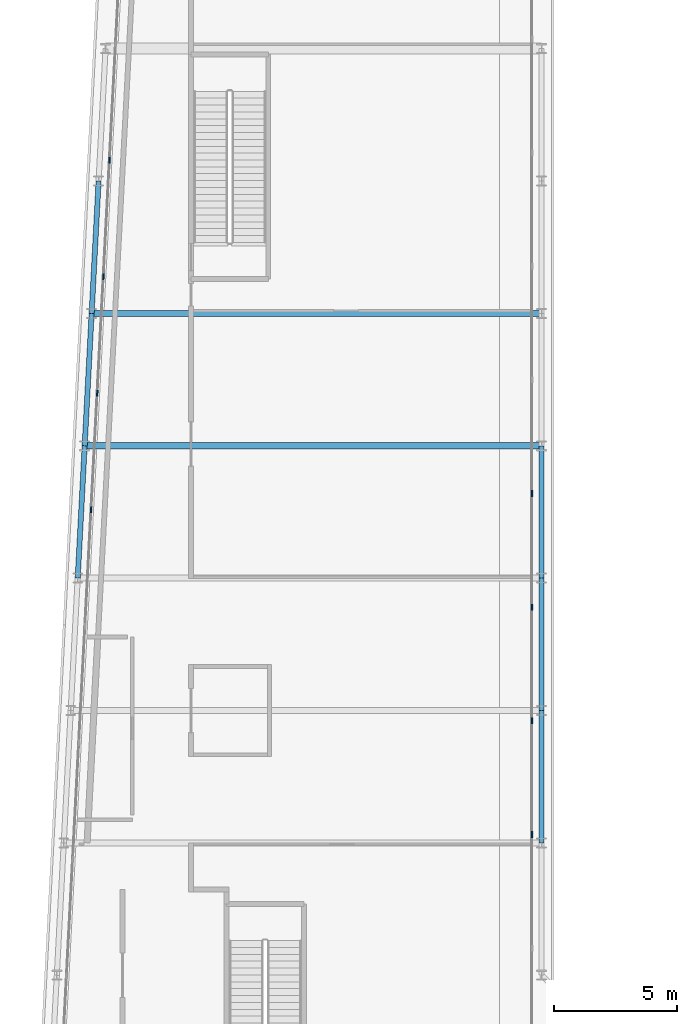
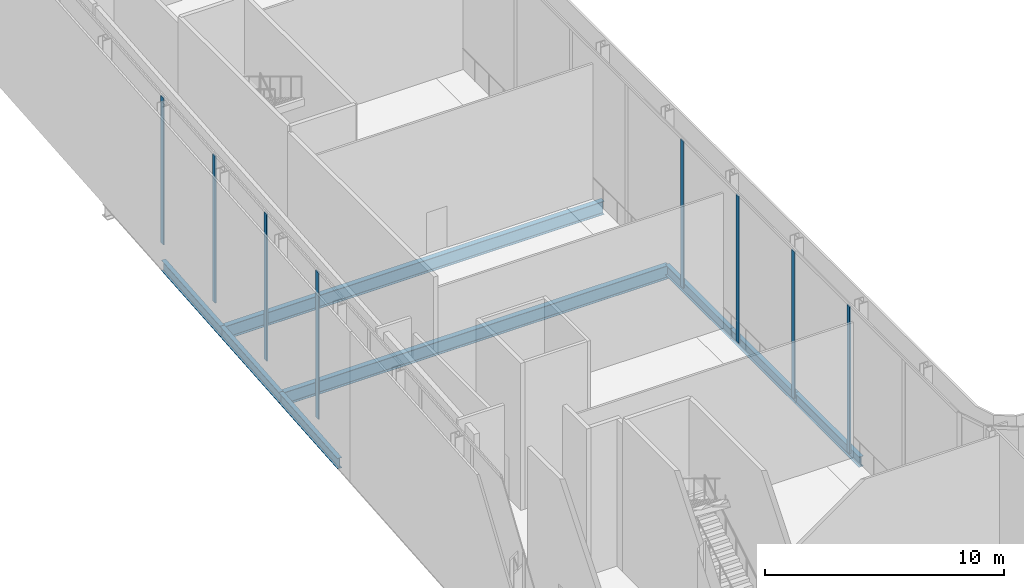
# One storey, part 14 of 38: 8 beams, 8 members, 2 elements without a shape of their own.
"""IFC4 building model written with IfcOpenShell, lengths in metres."""

from ifc_helpers import new_model, si_unit, direction, frame, origin, origin_2d, place, context, subcontext, project, spatial, rectangle, i_section, extrude, material, layer, layer_set, material_profile, profile_set, type_object, element, aggregate, save


model = new_model("IFC4")

# Units and contexts
model_context = context("Model", 3, precision=1e-05, world=origin(), true_north=direction((0.0, 1.0)))
body_context = subcontext(model_context, "Body", "Model", "MODEL_VIEW")
ifc_project = project(units=[si_unit("LENGTHUNIT", "METRE"), si_unit("AREAUNIT", "SQUARE_METRE"), si_unit("VOLUMEUNIT", "CUBIC_METRE"), si_unit("PLANEANGLEUNIT", "RADIAN"), si_unit("MASSUNIT", "GRAM", prefix="KILO")], contexts=[model_context])

# Site, building, storey
site_placement = place(None, origin())
site = spatial("IfcSite", under=ifc_project, at=site_placement, CompositionType="ELEMENT")
building_placement = place(site_placement, origin())
building = spatial("IfcBuilding", under=site, at=building_placement, Name="Kheshtan School and Residences Tower", CompositionType="ELEMENT")
storey_placement = place(building_placement, frame((0.0, 0.0, 203.300048828125)))
storey = spatial("IfcBuildingStorey", under=building, at=storey_placement, Name="L48", CompositionType="ELEMENT", Elevation=203.300048828125)

# Beams
ifc_material_1 = material(Name="Steel ASTM A992 Grade 50", Category="steel")
ifc_material_profile_1 = material_profile(ifc_material_1, i_section(OverallWidth=0.2529296875, OverallDepth=0.677978515625, WebThickness=0.01171875, FlangeThickness=0.016357421875, FilletRadius=0.0146484375, at=origin_2d()), Name="W690x125")
ifc_profile_set_1 = profile_set([ifc_material_profile_1], Name="Steel ASTM A992 Grade 50")
beam_type_1 = type_object("IfcBeamType", Name="Beam FB6 W690x125 ASTM A992 Grade 50", PredefinedType="BEAM", material=ifc_profile_set_1)
beam_1_placement = place(storey_placement, frame((47.60009765625, 78.0, -0.489013671875), z_axis=(-1.0, 0.0, 0.0), x_axis=(0.0, -1.0, 0.0)))
element("IfcBeam", 1, at=beam_1_placement, inside=storey, type_object=beam_type_1, Name="Floor beam C089", PredefinedType="BEAM", context=body_context, shape_type="SweptSolid", body=[
    extrude(i_section(OverallWidth=0.2529296875, OverallDepth=0.677978515625, WebThickness=0.01171875, FlangeThickness=0.016357421875, FilletRadius=0.0146484375, at=origin_2d()), origin(), (0.0, 0.0, 1.0), 18.357177734375),
])
beam_2_placement = place(storey_placement, frame((28.9580078125, 72.60009765625, -0.489013671875), z_axis=(1.0, 0.0, 0.0), x_axis=(0.0, 1.0, 0.0)))
element("IfcBeam", 2, at=beam_2_placement, inside=storey, type_object=beam_type_1, Name="Floor beam C086", PredefinedType="BEAM", context=body_context, shape_type="SweptSolid", body=[
    extrude(i_section(OverallWidth=0.2529296875, OverallDepth=0.677978515625, WebThickness=0.01171875, FlangeThickness=0.016357421875, FilletRadius=0.0146484375, at=origin_2d()), origin(), (0.0, 0.0, 1.0), 18.64208984375),
])
ifc_material_profile_2 = material_profile(ifc_material_1, i_section(OverallWidth=0.208984375, OverallDepth=0.532958984375, WebThickness=0.01025390625, FlangeThickness=0.015625, FilletRadius=0.013916015625, at=origin_2d()), Name="W530x92")
ifc_profile_set_2 = profile_set([ifc_material_profile_2], Name="Steel ASTM A992 Grade 50")
beam_type_2 = type_object("IfcBeamType", Name="Beam SP3 W530x92 ASTM A992 Grade 50", PredefinedType="BEAM", material=ifc_profile_set_2)
beam_3_placement = place(storey_placement, frame((47.60009765625, 72.60009765625, -0.41650390625), z_axis=(0.0, -1.0, 0.0), x_axis=(1.0, 0.0, 0.0)))
element("IfcBeam", 3, at=beam_3_placement, inside=storey, type_object=beam_type_2, Name="Spandrel beam C087-C085", PredefinedType="BEAM", context=body_context, shape_type="SweptSolid", body=[
    extrude(i_section(OverallWidth=0.208984375, OverallDepth=0.532958984375, WebThickness=0.01025390625, FlangeThickness=0.015625, FilletRadius=0.013916015625, at=origin_2d()), origin(), (0.0, 0.0, 1.0), 5.400146484375),
])
beam_4_placement = place(storey_placement, frame((47.60009765625, 67.199951171875, -0.41650390625), z_axis=(0.0, -1.0, 0.0), x_axis=(1.0, 0.0, 0.0)))
element("IfcBeam", 4, at=beam_4_placement, inside=storey, type_object=beam_type_2, Name="Spandrel beam C085-C083", PredefinedType="BEAM", context=body_context, shape_type="SweptSolid", body=[
    extrude(i_section(OverallWidth=0.208984375, OverallDepth=0.532958984375, WebThickness=0.01025390625, FlangeThickness=0.015625, FilletRadius=0.013916015625, at=origin_2d()), origin(), (0.0, 0.0, 1.0), 5.39990234375),
])
beam_5_placement = place(storey_placement, frame((47.60009765625, 61.800048828125, -0.41650390625), z_axis=(0.0, -1.0, 0.0), x_axis=(1.0, 0.0, 0.0)))
element("IfcBeam", 5, at=beam_5_placement, inside=storey, type_object=beam_type_2, Name="Spandrel beam C083-C081", PredefinedType="BEAM", context=body_context, shape_type="SweptSolid", body=[
    extrude(i_section(OverallWidth=0.208984375, OverallDepth=0.532958984375, WebThickness=0.01025390625, FlangeThickness=0.015625, FilletRadius=0.013916015625, at=origin_2d()), origin(), (0.0, 0.0, 1.0), 5.400146484375),
])
beam_6_placement = place(storey_placement, frame((28.674072265625, 67.199951171875, -0.41650390625), z_axis=(0.05250670125, 0.998620571751, 0.0), x_axis=(-0.998620571751, 0.05250670125, 0.0)))
element("IfcBeam", 6, at=beam_6_placement, inside=storey, type_object=beam_type_2, Name="Spandrel beam C084-C086", PredefinedType="BEAM", context=body_context, shape_type="SweptSolid", body=[
    extrude(i_section(OverallWidth=0.208984375, OverallDepth=0.532958984375, WebThickness=0.01025390625, FlangeThickness=0.015625, FilletRadius=0.013916015625, at=origin_2d()), origin(), (0.0, 0.0, 1.0), 5.40771484375),
])
for number, where, z_axis, x_axis, name in (
    (7, (28.9580078125, 72.60009765625, -0.41650390625), (0.052689166816, 0.998610961136, 0.0), (-0.998610961136, 0.052689166816, 0.0), "Spandrel beam C086-C088"),
    (8, (29.242919921875, 78.0, -0.41650390625), (0.052554093665, 0.998618078766, 0.0), (-0.998618078766, 0.052554093665, 0.0), "Spandrel beam C088-C090"),
):
    element("IfcBeam", number, at=place(storey_placement, frame(where, z_axis=z_axis, x_axis=x_axis)), inside=storey, type_object=beam_type_2, Name=name, PredefinedType="BEAM", context=body_context, shape_type="SweptSolid", body=[
        extrude(i_section(OverallWidth=0.208984375, OverallDepth=0.532958984375, WebThickness=0.01025390625, FlangeThickness=0.015625, FilletRadius=0.013916015625, at=origin_2d()), origin(), (0.0, 0.0, 1.0), 5.407470703125),
    ])

# Curtain wall, members
ifc_material_2 = material(Name="Clear low-e glass in thermally broken aluminium frame", Category="aluminium")
ifc_layer = layer(ifc_material_2, 0.25)
ifc_layer_set = layer_set([ifc_layer], Name="Curtain wall CW-K")
curtain_wall_type = type_object("IfcCurtainWallType", Name="Curtain wall CW-K", PredefinedType="NOTDEFINED", material=ifc_layer_set)
curtain_wall_1_placement = place(storey_placement, origin())
curtain_wall_1 = element("IfcCurtainWall", 9, at=curtain_wall_1_placement, inside=storey, type_object=curtain_wall_type, Name="Curtain wall CWK18", PredefinedType="NOTDEFINED")
ifc_material_3 = material(Name="Thermally broken aluminium, dark bronze anodised", Category="aluminium")
ifc_material_profile_3 = material_profile(ifc_material_3, rectangle(XDim=0.06005859375, YDim=0.25, at=origin_2d()), Name="CW-K mullion 60x250")
ifc_profile_set_3 = profile_set([ifc_material_profile_3], Name="Thermally broken aluminium, dark bronze anodised")
member_type = type_object("IfcMemberType", Name="CW-K mullion 60x250", PredefinedType="MULLION", material=ifc_profile_set_3)
member_1_placement = place(storey_placement, frame((29.22119140625, 69.993408203125, 0.0), z_axis=(0.0, 0.0, 1.0), x_axis=(-0.998617497599, 0.05256513568, 0.0)))
member_1 = element("IfcMember", 10, at=member_1_placement, type_object=member_type, Name="CWK18 mullion 9", PredefinedType="MULLION", context=body_context, shape_type="SweptSolid", body=[
    extrude(rectangle(XDim=0.06005859375, YDim=0.25, at=origin_2d()), origin(), (0.0, 0.0, 1.0), 7.489990234375),
])
member_2_placement = place(storey_placement, frame((29.471435546875, 74.74560546875, 0.0), z_axis=(0.0, 0.0, 1.0), x_axis=(-0.998617497599, 0.05256513568, 0.0)))
member_2 = element("IfcMember", 11, at=member_2_placement, type_object=member_type, Name="CWK18 mullion 10", PredefinedType="MULLION", context=body_context, shape_type="SweptSolid", body=[
    extrude(rectangle(XDim=0.06005859375, YDim=0.25, at=origin_2d()), origin(), (0.0, 0.0, 1.0), 7.489990234375),
])
member_3_placement = place(storey_placement, frame((29.7216796875, 79.497802734375, 0.0), z_axis=(0.0, 0.0, 1.0), x_axis=(-0.998617497599, 0.05256513568, 0.0)))
member_3 = element("IfcMember", 12, at=member_3_placement, type_object=member_type, Name="CWK18 mullion 11", PredefinedType="MULLION", context=body_context, shape_type="SweptSolid", body=[
    extrude(rectangle(XDim=0.06005859375, YDim=0.25, at=origin_2d()), origin(), (0.0, 0.0, 1.0), 7.489990234375),
])
member_4_placement = place(storey_placement, frame((29.9716796875, 84.249755859375, 0.0), z_axis=(0.0, 0.0, 1.0), x_axis=(-0.998617497599, 0.05256513568, 0.0)))
member_4 = element("IfcMember", 13, at=member_4_placement, type_object=member_type, Name="CWK18 mullion 12", PredefinedType="MULLION", context=body_context, shape_type="SweptSolid", body=[
    extrude(rectangle(XDim=0.06005859375, YDim=0.25, at=origin_2d()), origin(), (0.0, 0.0, 1.0), 7.489990234375),
])
aggregate(curtain_wall_1, [member_1, member_2, member_3, member_4])

curtain_wall_2_placement = place(storey_placement, origin())
curtain_wall_2 = element("IfcCurtainWall", 14, at=curtain_wall_2_placement, inside=storey, type_object=curtain_wall_type, Name="Curtain wall CWK24", PredefinedType="NOTDEFINED")
member_5_placement = place(storey_placement, frame((47.199951171875, 70.6513671875, 0.0), z_axis=(0.0, 0.0, 1.0), x_axis=(1.0, 0.0, 0.0)))
member_5 = element("IfcMember", 15, at=member_5_placement, type_object=member_type, Name="CWK24 mullion 7", PredefinedType="MULLION", context=body_context, shape_type="SweptSolid", body=[
    extrude(rectangle(XDim=0.06005859375, YDim=0.25, at=origin_2d()), origin(), (0.0, 0.0, 1.0), 7.489990234375),
])
member_6_placement = place(storey_placement, frame((47.199951171875, 66.014892578125, 0.0), z_axis=(0.0, 0.0, 1.0), x_axis=(1.0, 0.0, 0.0)))
member_6 = element("IfcMember", 16, at=member_6_placement, type_object=member_type, Name="CWK24 mullion 8", PredefinedType="MULLION", context=body_context, shape_type="SweptSolid", body=[
    extrude(rectangle(XDim=0.06005859375, YDim=0.25, at=origin_2d()), origin(), (0.0, 0.0, 1.0), 7.489990234375),
])
member_7_placement = place(storey_placement, frame((47.199951171875, 61.37841796875, 0.0), z_axis=(0.0, 0.0, 1.0), x_axis=(1.0, 0.0, 0.0)))
member_7 = element("IfcMember", 17, at=member_7_placement, type_object=member_type, Name="CWK24 mullion 9", PredefinedType="MULLION", context=body_context, shape_type="SweptSolid", body=[
    extrude(rectangle(XDim=0.06005859375, YDim=0.25, at=origin_2d()), origin(), (0.0, 0.0, 1.0), 7.489990234375),
])
member_8_placement = place(storey_placement, frame((47.199951171875, 56.741943359375, 0.0), z_axis=(0.0, 0.0, 1.0), x_axis=(1.0, 0.0, 0.0)))
member_8 = element("IfcMember", 18, at=member_8_placement, type_object=member_type, Name="CWK24 mullion 10", PredefinedType="MULLION", context=body_context, shape_type="SweptSolid", body=[
    extrude(rectangle(XDim=0.06005859375, YDim=0.25, at=origin_2d()), origin(), (0.0, 0.0, 1.0), 7.489990234375),
])
aggregate(curtain_wall_2, [member_5, member_6, member_7, member_8])

save(model, "model.ifc")
